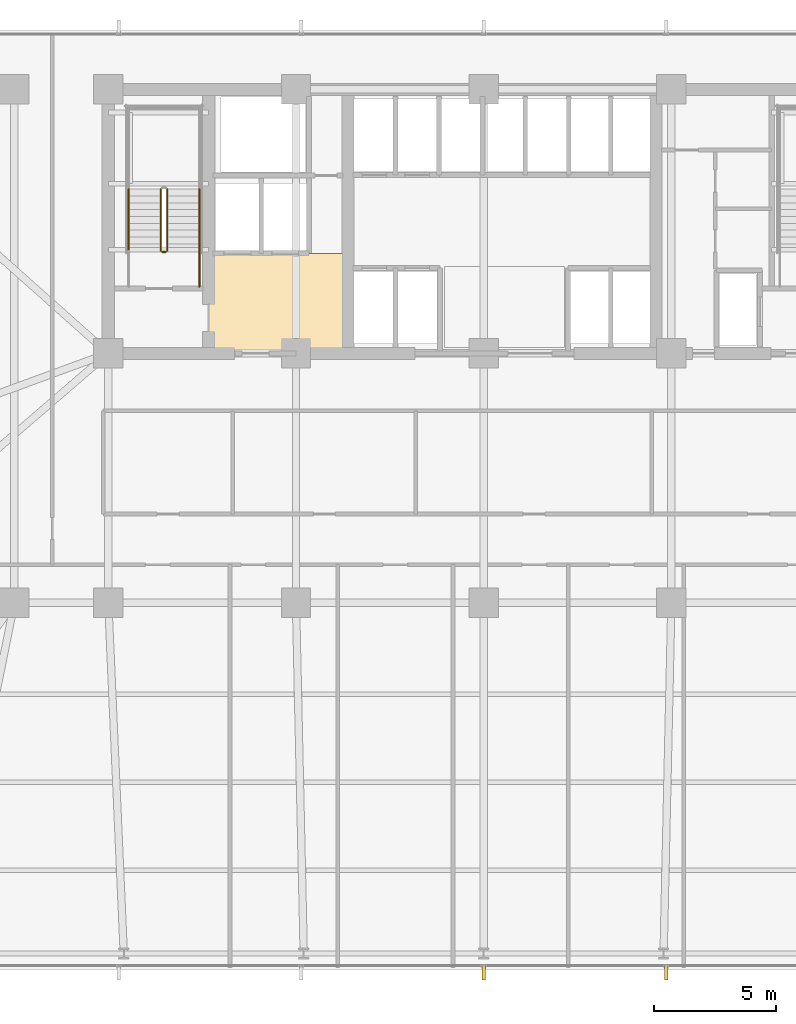
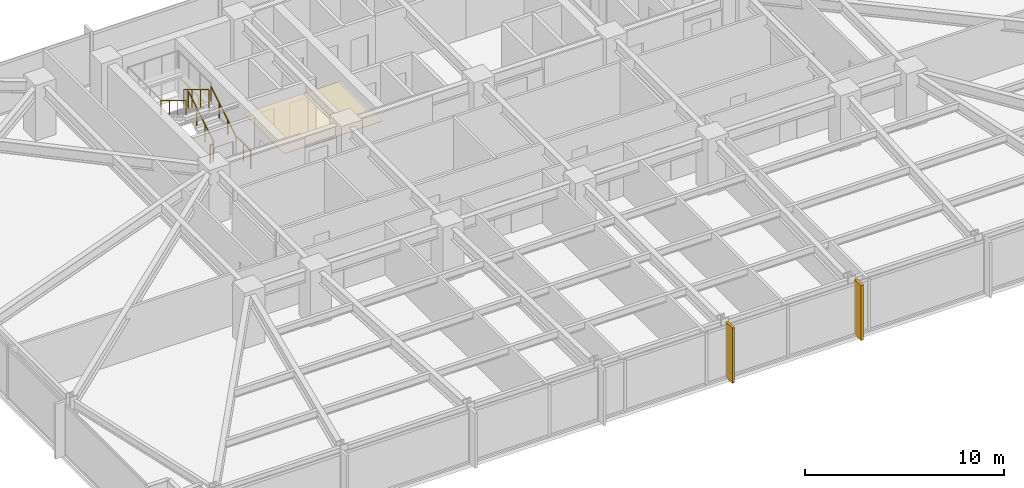
# One storey, part 28 of 33: 6 railings, 2 shading devices, 1 covering.
"""IFC4 building model written with IfcOpenShell, lengths in metres."""

from ifc_helpers import new_model, si_unit, direction, frame, origin, origin_2d, place, context, subcontext, project, spatial, polyline, rectangle, circle, outline, extrude, material, layer, layer_set, type_object, element, save


model = new_model("IFC4")

# Units and contexts
model_context = context("Model", 3, precision=1e-05, world=origin(), true_north=direction((0.0, 1.0)))
body_context = subcontext(model_context, "Body", "Model", "MODEL_VIEW")
ifc_project = project(units=[si_unit("LENGTHUNIT", "METRE"), si_unit("AREAUNIT", "SQUARE_METRE"), si_unit("VOLUMEUNIT", "CUBIC_METRE"), si_unit("PLANEANGLEUNIT", "RADIAN"), si_unit("MASSUNIT", "GRAM", prefix="KILO")], contexts=[model_context])

# Site, building, storey
site_placement = place(None, origin())
site = spatial("IfcSite", under=ifc_project, at=site_placement, CompositionType="ELEMENT")
building_placement = place(site_placement, origin())
building = spatial("IfcBuilding", under=site, at=building_placement, Name="Yelkora Congress Tower", CompositionType="ELEMENT")
storey_placement = place(building_placement, frame((0.0, 0.0, 54.199951171875)))
storey = spatial("IfcBuildingStorey", under=building, at=storey_placement, Name="L13", CompositionType="ELEMENT", Elevation=54.199951171875)

# Covering
ifc_material_1 = material(Name="Perforated mineral-fibre acoustic ceiling", Category="gypsum")
ifc_layer_1 = layer(ifc_material_1, 0.0400390625)
ifc_layer_set_1 = layer_set([ifc_layer_1], Name="Perforated mineral-fibre acoustic ceiling")
covering_type = type_object("IfcCoveringType", Name="COV-CEIL-ACOUSTIC-40", PredefinedType="CEILING", material=ifc_layer_set_1)
covering_placement = place(storey_placement, frame((0.0, 0.0, 2.400146484375)))
element("IfcCovering", 1, at=covering_placement, inside=storey, type_object=covering_type, Name="L13 Firefighting Lobby Acoustic Ceiling", PredefinedType="CEILING", context=body_context, shape_type="SweptSolid", body=[
    extrude(outline(polyline([(27.14990234375, 35.39990234375), (32.85009765625, 35.39990234375), (32.85009765625, 39.47998046875), (27.14990234375, 39.47998046875), (27.14990234375, 35.39990234375)])), origin(), (0.0, 0.0, 1.0), 0.039794921875),
])

# Railings
ifc_material_2 = material(Name="Painted galvanised steel stair well guard with vertical infill", Category="steel")
ifc_layer_2 = layer(ifc_material_2, 0.06005859375)
ifc_layer_set_2 = layer_set([ifc_layer_2], Name="Painted galvanised steel stair well guard with vertical infill")
railing_type_1 = type_object("IfcRailingType", Name="RAIL-STAIR-GUARD-1120", PredefinedType="GUARDRAIL", material=ifc_layer_set_2)
railing_1_placement = place(storey_placement, frame((25.449951171875, 39.60009765625, 0.170166015625)))
element("IfcRailing", 2, at=railing_1_placement, inside=storey, type_object=railing_type_1, Name="ST-01 L13 Stair Well Guardrail 1", PredefinedType="GUARDRAIL", context=body_context, shape_type="SweptSolid", body=[
    extrude(circle(Radius=0.02392578125, at=origin_2d()), frame((0.0, 0.0, 1.09619140625), z_axis=(0.0, 0.854821627497, 0.518921945155), x_axis=(-1.0, 0.0, 0.0)), (0.0, 0.0, 1.0), 2.947998046875),
    extrude(circle(Radius=0.02099609375, at=origin_2d()), origin(), (0.0, 0.0, 1.0), 1.072021484375),
    extrude(circle(Radius=0.02099609375, at=origin_2d()), frame((0.0, 0.840087890625, 0.510009765625)), (0.0, 0.0, 1.0), 1.072021484375),
    extrude(circle(Radius=0.02099609375, at=origin_2d()), frame((0.0, 1.679931640625, 1.019775390625)), (0.0, 0.0, 1.0), 1.072021484375),
    extrude(circle(Radius=0.02099609375, at=origin_2d()), frame((0.0, 2.52001953125, 1.52978515625)), (0.0, 0.0, 1.0), 1.072021484375),
])
railing_2_placement = place(storey_placement, frame((25.18994140625, 42.1201171875, 1.8701171875)))
element("IfcRailing", 3, at=railing_2_placement, inside=storey, type_object=railing_type_1, Name="ST-01 L13 Stair Well Guardrail 6", PredefinedType="GUARDRAIL", context=body_context, shape_type="SweptSolid", body=[
    extrude(circle(Radius=0.02392578125, at=origin_2d()), frame((0.0, 0.0, 1.09619140625), z_axis=(0.0, -0.85478489116, 0.518982456201), x_axis=(1.0, 0.0, 0.0)), (0.0, 0.0, 1.0), 2.9482421875),
    extrude(circle(Radius=0.02099609375, at=origin_2d()), origin(), (0.0, 0.0, 1.0), 1.072021484375),
    extrude(circle(Radius=0.02099609375, at=origin_2d()), frame((0.0, -0.840087890625, 0.510009765625)), (0.0, 0.0, 1.0), 1.072021484375),
    extrude(circle(Radius=0.02099609375, at=origin_2d()), frame((0.0, -1.679931640625, 1.02001953125)), (0.0, 0.0, 1.0), 1.072021484375),
    extrude(circle(Radius=0.02099609375, at=origin_2d()), frame((0.0, -2.52001953125, 1.530029296875)), (0.0, 0.0, 1.0), 1.072021484375),
])
railing_3_placement = place(storey_placement, frame((25.39990234375, 39.550048828125, 0.0)))
element("IfcRailing", 4, at=railing_3_placement, inside=storey, type_object=railing_type_1, Name="ST-01 L13 Stair Well Guardrail 7", PredefinedType="GUARDRAIL", context=body_context, shape_type="SweptSolid", body=[
    extrude(circle(Radius=0.02392578125, at=origin_2d()), frame((0.0, 0.0, 1.09619140625), z_axis=(-1.0, 0.0, 0.0), x_axis=(0.0, -1.0, 0.0)), (0.0, 0.0, 1.0), 0.159912109375),
    extrude(circle(Radius=0.02099609375, at=origin_2d()), origin(), (0.0, 0.0, 1.0), 1.072021484375),
    extrude(circle(Radius=0.02099609375, at=origin_2d()), frame((-0.159912109375, 0.0, 0.0)), (0.0, 0.0, 1.0), 1.072021484375),
])
railing_4_placement = place(storey_placement, frame((26.77001953125, 38.1201171875, 0.0)))
element("IfcRailing", 5, at=railing_4_placement, inside=storey, type_object=railing_type_1, Name="ST-01 L13 Stair Well Guardrail 8", PredefinedType="GUARDRAIL", context=body_context, shape_type="SweptSolid", body=[
    extrude(circle(Radius=0.02392578125, at=origin_2d()), frame((0.0, 0.0, 1.09619140625), z_axis=(0.0, 1.0, 0.0), x_axis=(-1.0, 0.0, 0.0)), (0.0, 0.0, 1.0), 1.47998046875),
    extrude(circle(Radius=0.02099609375, at=origin_2d()), origin(), (0.0, 0.0, 1.0), 1.072021484375),
    extrude(circle(Radius=0.02099609375, at=origin_2d()), frame((0.0, 0.739990234375, 0.0)), (0.0, 0.0, 1.0), 1.072021484375),
    extrude(circle(Radius=0.02099609375, at=origin_2d()), frame((0.0, 1.47998046875, 0.0)), (0.0, 0.0, 1.0), 1.072021484375),
])
ifc_material_3 = material(Name="Brushed stainless steel tubular handrail", Category="steel")
ifc_layer_3 = layer(ifc_material_3, 0.050048828125)
ifc_layer_set_3 = layer_set([ifc_layer_3], Name="Brushed stainless steel tubular handrail")
railing_type_2 = type_object("IfcRailingType", Name="RAIL-STAIR-HAND-920", PredefinedType="HANDRAIL", material=ifc_layer_set_3)
railing_5_placement = place(storey_placement, frame((26.77001953125, 39.60009765625, 0.170166015625)))
element("IfcRailing", 6, at=railing_5_placement, inside=storey, type_object=railing_type_2, Name="ST-01 L13 Pitch Handrail 1", PredefinedType="HANDRAIL", context=body_context, shape_type="SweptSolid", body=[
    extrude(circle(Radius=0.02392578125, at=origin_2d()), frame((0.0, 0.0, 0.89599609375), z_axis=(0.0, 0.854821627497, 0.518921945155), x_axis=(-1.0, 0.0, 0.0)), (0.0, 0.0, 1.0), 2.947998046875),
    extrude(circle(Radius=0.02099609375, at=origin_2d()), origin(), (0.0, 0.0, 1.0), 0.871826171875),
    extrude(circle(Radius=0.02099609375, at=origin_2d()), frame((0.0, 0.840087890625, 0.510009765625)), (0.0, 0.0, 1.0), 0.871826171875),
    extrude(circle(Radius=0.02099609375, at=origin_2d()), frame((0.0, 1.679931640625, 1.019775390625)), (0.0, 0.0, 1.0), 0.871826171875),
    extrude(circle(Radius=0.02099609375, at=origin_2d()), frame((0.0, 2.52001953125, 1.52978515625)), (0.0, 0.0, 1.0), 0.871826171875),
])
railing_6_placement = place(storey_placement, frame((23.8701171875, 42.1201171875, 1.8701171875)))
element("IfcRailing", 7, at=railing_6_placement, inside=storey, type_object=railing_type_2, Name="ST-01 L13 Pitch Handrail 2", PredefinedType="HANDRAIL", context=body_context, shape_type="SweptSolid", body=[
    extrude(circle(Radius=0.02392578125, at=origin_2d()), frame((0.0, 0.0, 0.89599609375), z_axis=(0.0, -0.85478489116, 0.518982456201), x_axis=(1.0, 0.0, 0.0)), (0.0, 0.0, 1.0), 2.9482421875),
    extrude(circle(Radius=0.02099609375, at=origin_2d()), origin(), (0.0, 0.0, 1.0), 0.871826171875),
    extrude(circle(Radius=0.02099609375, at=origin_2d()), frame((0.0, -0.840087890625, 0.510009765625)), (0.0, 0.0, 1.0), 0.871826171875),
    extrude(circle(Radius=0.02099609375, at=origin_2d()), frame((0.0, -1.679931640625, 1.02001953125)), (0.0, 0.0, 1.0), 0.871826171875),
    extrude(circle(Radius=0.02099609375, at=origin_2d()), frame((0.0, -2.52001953125, 1.530029296875)), (0.0, 0.0, 1.0), 0.871826171875),
])

# Shading devices
ifc_material_4 = material(Name="Champagne anodised aluminium", Category="aluminium")
ifc_layer_4 = layer(ifc_material_4, 3.39990234375)
ifc_layer_set_4 = layer_set([ifc_layer_4], Name="Champagne anodised aluminium")
shading_device_type = type_object("IfcShadingDeviceType", Name="SHD-FIN-ALU-640", PredefinedType="USERDEFINED", material=ifc_layer_set_4)
for number, where, z_axis, x_axis, name in (
    (8, (45.864990234375, 10.080078125, -0.02978515625), (0.0, 0.0, 1.0), (-1.0, 0.0, 0.0), "L13 Vertical Anodised Solar Fin 20-3"),
    (9, (38.39990234375, 10.080078125, -0.02978515625), (0.0, 0.0, 1.0), (-1.0, 0.0, 0.0), "L13 Vertical Anodised Solar Fin 20-4"),
):
    element("IfcShadingDevice", number, at=place(storey_placement, frame(where, z_axis=z_axis, x_axis=x_axis)), inside=storey, type_object=shading_device_type, Name=name, ObjectType="FIN", PredefinedType="USERDEFINED", context=body_context, shape_type="SweptSolid", body=[
        extrude(rectangle(XDim=0.139892578125, YDim=0.639892578125, at=origin_2d()), origin(), (0.0, 0.0, 1.0), 3.3798828125),
    ])

save(model, "model.ifc")
